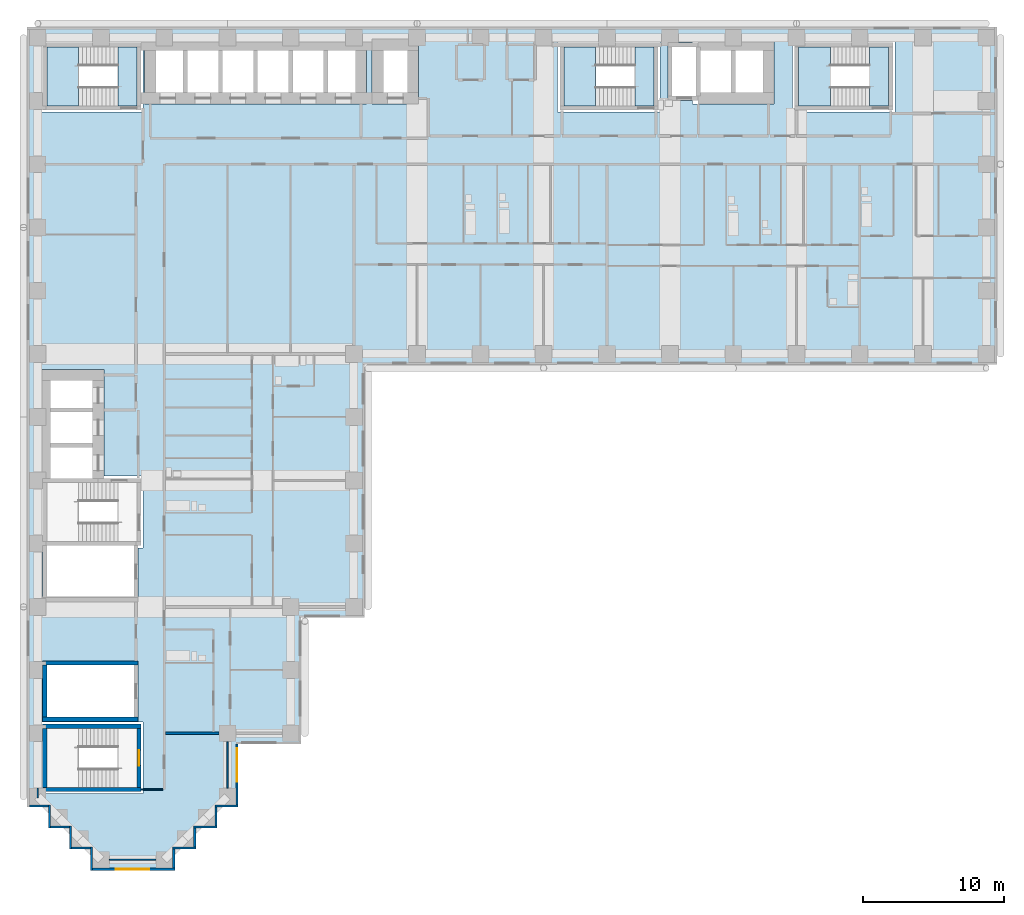
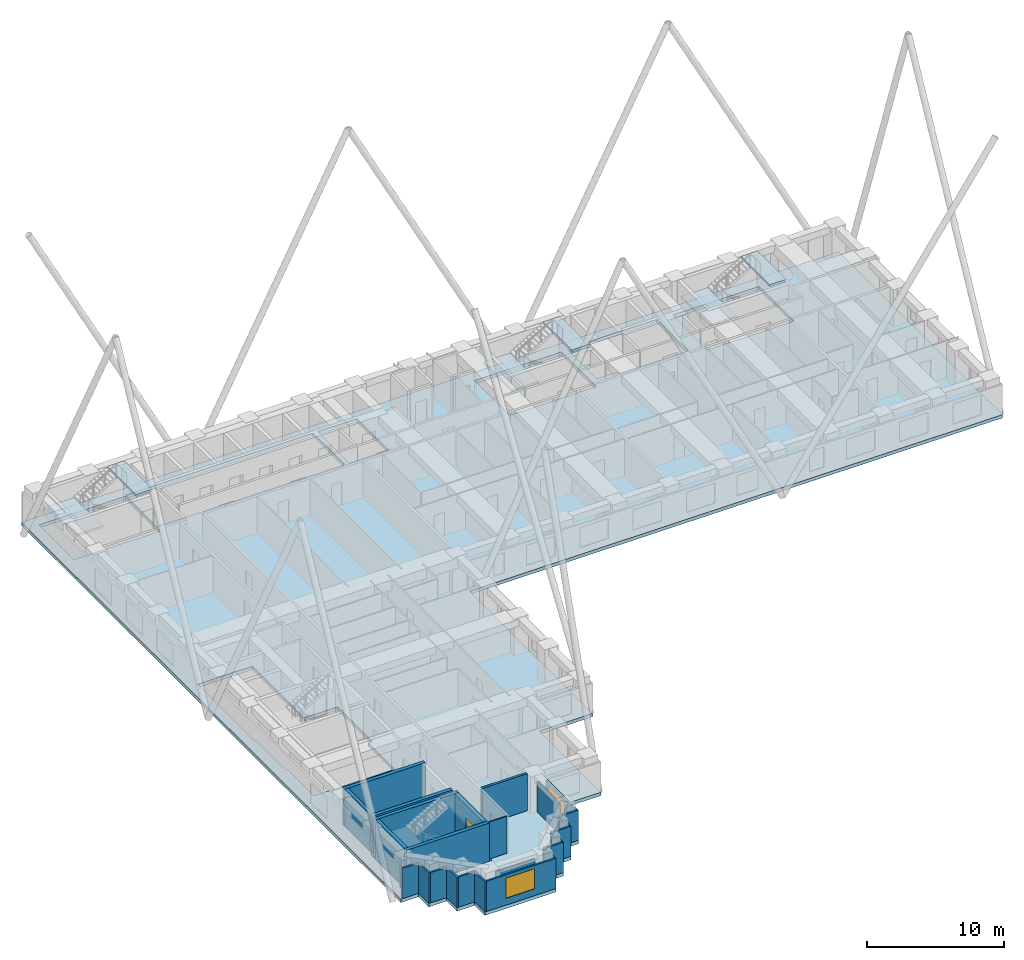
# One storey, part 2 of 12: 26 walls, 7 slabs, 2 windows, 1 door, 3 openings, 3 elements without a shape of their own.
"""IFC4 building model written with IfcOpenShell, lengths in metres."""

from ifc_helpers import new_model, si_unit, direction, frame, frame_2d, origin, place, context, subcontext, project, spatial, polyline, rectangle, outline, extrude, material, layer, layer_set, type_object, element, fill, aggregate, save


model = new_model("IFC4")

# Units and contexts
model_context = context("Model", 3, precision=1e-05, world=origin(), true_north=direction((0.0, 1.0)))
body_context = subcontext(model_context, "Body", "Model", "MODEL_VIEW")
ifc_project = project(units=[si_unit("LENGTHUNIT", "METRE"), si_unit("AREAUNIT", "SQUARE_METRE"), si_unit("VOLUMEUNIT", "CUBIC_METRE"), si_unit("PLANEANGLEUNIT", "RADIAN"), si_unit("MASSUNIT", "GRAM", prefix="KILO")], contexts=[model_context])

# Site, building, storey
site_placement = place(None, origin())
site = spatial("IfcSite", under=ifc_project, at=site_placement, CompositionType="ELEMENT")
building_placement = place(site_placement, origin())
building = spatial("IfcBuilding", under=site, at=building_placement, Name="Firuza Court", CompositionType="ELEMENT")
storey_placement = place(building_placement, frame((0.0, 0.0, 93.800048828125)))
storey = spatial("IfcBuildingStorey", under=building, at=storey_placement, Name="L23", CompositionType="ELEMENT", Elevation=93.800048828125)

# Slab
ifc_material_1 = material(Name="Concrete C40/50", Category="concrete")
ifc_layer_1 = layer(ifc_material_1, 0.300048828125)
ifc_layer_set_1 = layer_set([ifc_layer_1], Name="Concrete C40/50")
slab_type_1 = type_object("IfcSlabType", Name="Floor slab 300 C40/50", PredefinedType="FLOOR", material=ifc_layer_set_1)
slab_1_placement = place(storey_placement, frame((0.0, 0.0, -0.300048828125)))
element("IfcSlab", 1, at=slab_1_placement, inside=storey, type_object=slab_type_1, Name="Floor slab L23", PredefinedType="FLOOR", context=body_context, shape_type="SweptSolid", body=[
    extrude(outline(polyline([(3.75, -0.75), (3.75, 0.75), (2.25, 0.75), (2.25, 2.25), (0.75, 2.25), (0.75, 3.75), (-0.75, 3.75), (-0.75, 59.25), (68.25, 59.25), (68.25, 35.25), (23.25, 35.25), (23.25, 17.25), (18.75, 17.25), (18.75, 8.25), (14.25, 8.25), (14.25, 3.75), (12.75, 3.75), (12.75, 2.25), (11.25, 2.25), (11.25, 0.75), (9.75, 0.75), (9.75, -0.75), (3.75, -0.75)]), holes=[polyline([(7.5, 9.800048828125), (0.199951171875, 9.800048828125), (0.199951171875, 4.699951171875), (7.5, 4.699951171875), (7.5, 9.800048828125)]), polyline([(7.14990234375, 14.14990234375), (0.35009765625, 14.14990234375), (0.35009765625, 9.85009765625), (7.14990234375, 9.85009765625), (7.14990234375, 14.14990234375)]), polyline([(0.199951171875, 22.199951171875), (0.35009765625, 22.199951171875), (0.35009765625, 18.35009765625), (7.14990234375, 18.35009765625), (7.14990234375, 22.199951171875), (7.5, 22.199951171875), (7.5, 27.300048828125), (4.699951171875, 27.300048828125), (4.699951171875, 29.10009765625), (4.699951171875, 29.89990234375), (4.699951171875, 31.60009765625), (4.699951171875, 32.39990234375), (4.699951171875, 34.89990234375), (0.10009765625, 34.89990234375), (0.10009765625, 32.39990234375), (0.10009765625, 31.60009765625), (0.10009765625, 29.89990234375), (0.10009765625, 29.10009765625), (0.10009765625, 26.60009765625), (0.199951171875, 26.60009765625), (0.199951171875, 22.199951171875)]), polyline([(7.5, 58.300048828125), (0.199951171875, 58.300048828125), (0.199951171875, 53.199951171875), (7.5, 53.199951171875), (7.5, 58.300048828125)]), polyline([(10.10009765625, 58.39990234375), (7.60009765625, 58.39990234375), (7.60009765625, 53.800048828125), (10.10009765625, 53.800048828125), (10.89990234375, 53.800048828125), (12.60009765625, 53.800048828125), (13.39990234375, 53.800048828125), (15.10009765625, 53.800048828125), (15.89990234375, 53.800048828125), (17.60009765625, 53.800048828125), (18.39990234375, 53.800048828125), (20.10009765625, 53.800048828125), (20.89990234375, 53.800048828125), (23.39990234375, 53.800048828125), (23.39990234375, 58.39990234375), (20.89990234375, 58.39990234375), (20.10009765625, 58.39990234375), (18.39990234375, 58.39990234375), (17.60009765625, 58.39990234375), (15.89990234375, 58.39990234375), (15.10009765625, 58.39990234375), (13.39990234375, 58.39990234375), (12.60009765625, 58.39990234375), (10.89990234375, 58.39990234375), (10.10009765625, 58.39990234375)]), polyline([(44.300048828125, 58.300048828125), (37.0, 58.300048828125), (37.0, 53.199951171875), (44.300048828125, 53.199951171875), (44.300048828125, 58.300048828125)]), polyline([(61.0, 58.300048828125), (53.699951171875, 58.300048828125), (53.699951171875, 53.199951171875), (61.0, 53.199951171875), (61.0, 58.300048828125)]), polyline([(27.10009765625, 58.39990234375), (23.800048828125, 58.39990234375), (23.800048828125, 53.800048828125), (27.10009765625, 53.800048828125), (27.10009765625, 58.39990234375)]), polyline([(46.60009765625, 58.14990234375), (44.85009765625, 58.14990234375), (44.85009765625, 54.050048828125), (46.60009765625, 54.050048828125), (46.60009765625, 53.800048828125), (49.10009765625, 53.800048828125), (49.89990234375, 53.800048828125), (52.39990234375, 53.800048828125), (52.39990234375, 58.39990234375), (49.89990234375, 58.39990234375), (49.10009765625, 58.39990234375), (46.60009765625, 58.39990234375), (46.60009765625, 58.14990234375)])]), origin(), (0.0, 0.0, 1.0), 0.300048828125),
])

# Stair, slabs
ifc_material_2 = material(Name="Concrete C40/50 precast", Category="concrete")
stair_type = type_object("IfcStairType", Name="Stair 1350 x 3600 2 flights", PredefinedType="HALF_TURN_STAIR", material=ifc_material_2)
stair_1_placement = place(storey_placement, origin())
stair_1 = element("IfcStair", 2, at=stair_1_placement, inside=storey, type_object=stair_type, Name="Stair 1 L23", PredefinedType="HALF_TURN_STAIR")
ifc_material_3 = material(Name="Concrete C40/50 precast", Category="concrete")
ifc_layer_2 = layer(ifc_material_3, 0.199951171875)
ifc_layer_set_2 = layer_set([ifc_layer_2], Name="Concrete C40/50 precast")
slab_type_2 = type_object("IfcSlabType", Name="Stair landing 200", PredefinedType="LANDING", material=ifc_layer_set_2)
slab_2_placement = place(storey_placement, frame((0.0, 0.0, 1.599853515625)))
slab_2 = element("IfcSlab", 3, at=slab_2_placement, type_object=slab_type_2, Name="S1 landing 1", PredefinedType="LANDING", context=body_context, shape_type="SweptSolid", body=[
    extrude(outline(polyline([(39.699951171875, 53.64990234375), (39.699951171875, 57.85009765625), (37.449951171875, 57.85009765625), (37.449951171875, 53.64990234375), (39.699951171875, 53.64990234375)])), origin(), (0.0, 0.0, 1.0), 0.2001953125),
])
slab_3_placement = place(storey_placement, frame((0.0, 0.0, 3.39990234375)))
slab_3 = element("IfcSlab", 4, at=slab_3_placement, type_object=slab_type_2, Name="S1 landing 2", PredefinedType="LANDING", context=body_context, shape_type="SweptSolid", body=[
    extrude(outline(polyline([(43.85009765625, 53.64990234375), (43.85009765625, 57.85009765625), (42.5, 57.85009765625), (42.5, 53.64990234375), (43.85009765625, 53.64990234375)])), origin(), (0.0, 0.0, 1.0), 0.199951171875),
])
aggregate(stair_1, [slab_2, slab_3])

stair_2_placement = place(storey_placement, origin())
stair_2 = element("IfcStair", 5, at=stair_2_placement, inside=storey, type_object=stair_type, Name="Stair 3 L23", PredefinedType="HALF_TURN_STAIR")
slab_4_placement = place(storey_placement, frame((0.0, 0.0, 1.599853515625)))
slab_4 = element("IfcSlab", 6, at=slab_4_placement, type_object=slab_type_2, Name="S3 landing 1", PredefinedType="LANDING", context=body_context, shape_type="SweptSolid", body=[
    extrude(outline(polyline([(2.89990234375, 53.64990234375), (2.89990234375, 57.85009765625), (0.64990234375, 57.85009765625), (0.64990234375, 53.64990234375), (2.89990234375, 53.64990234375)])), origin(), (0.0, 0.0, 1.0), 0.2001953125),
])
slab_5_placement = place(storey_placement, frame((0.0, 0.0, 3.39990234375)))
slab_5 = element("IfcSlab", 7, at=slab_5_placement, type_object=slab_type_2, Name="S3 landing 2", PredefinedType="LANDING", context=body_context, shape_type="SweptSolid", body=[
    extrude(outline(polyline([(7.050048828125, 53.64990234375), (7.050048828125, 57.85009765625), (5.699951171875, 57.85009765625), (5.699951171875, 53.64990234375), (7.050048828125, 53.64990234375)])), origin(), (0.0, 0.0, 1.0), 0.199951171875),
])
aggregate(stair_2, [slab_4, slab_5])

stair_3_placement = place(storey_placement, origin())
stair_3 = element("IfcStair", 8, at=stair_3_placement, inside=storey, type_object=stair_type, Name="Stair 4 L23", PredefinedType="HALF_TURN_STAIR")
slab_6_placement = place(storey_placement, frame((0.0, 0.0, 1.599853515625)))
slab_6 = element("IfcSlab", 9, at=slab_6_placement, type_object=slab_type_2, Name="S4 landing 1", PredefinedType="LANDING", context=body_context, shape_type="SweptSolid", body=[
    extrude(outline(polyline([(56.39990234375, 53.64990234375), (56.39990234375, 57.85009765625), (54.14990234375, 57.85009765625), (54.14990234375, 53.64990234375), (56.39990234375, 53.64990234375)])), origin(), (0.0, 0.0, 1.0), 0.2001953125),
])
slab_7_placement = place(storey_placement, frame((0.0, 0.0, 3.39990234375)))
slab_7 = element("IfcSlab", 10, at=slab_7_placement, type_object=slab_type_2, Name="S4 landing 2", PredefinedType="LANDING", context=body_context, shape_type="SweptSolid", body=[
    extrude(outline(polyline([(60.550048828125, 53.64990234375), (60.550048828125, 57.85009765625), (59.199951171875, 57.85009765625), (59.199951171875, 53.64990234375), (60.550048828125, 53.64990234375)])), origin(), (0.0, 0.0, 1.0), 0.199951171875),
])
aggregate(stair_3, [slab_6, slab_7])

# Walls
ifc_material_4 = material(Name="Concrete C60/75", Category="concrete")
ifc_layer_3 = layer(ifc_material_4, 0.300048828125)
ifc_layer_set_3 = layer_set([ifc_layer_3], Name="Concrete C60/75")
wall_type_1 = type_object("IfcWallType", Name="Core wall 300 C60/75", PredefinedType="SHEAR", material=ifc_layer_set_3)
for number, where, z_axis, x_axis, name in (
    (11, (0.35009765625, 5.0, -0.300048828125), (0.0, 0.0, 1.0), (1.0, 0.0, 0.0), "Core wall stair L23"),
    (12, (0.35009765625, 9.5, -0.300048828125), (0.0, 0.0, 1.0), (1.0, 0.0, 0.0), "Core wall stair L23"),
):
    element("IfcWall", number, at=place(storey_placement, frame(where, z_axis=z_axis, x_axis=x_axis)), inside=storey, type_object=wall_type_1, Name=name, PredefinedType="SHEAR", context=body_context, shape_type="SweptSolid", body=[
        extrude(rectangle(XDim=7.0, YDim=0.300048828125, at=frame_2d((3.5, 0.0))), origin(), (0.0, 0.0, 1.0), 3.60009765625),
    ])
for number, where, z_axis, x_axis, name in (
    (13, (0.35009765625, 10.0, -0.300048828125), (0.0, 0.0, 1.0), (1.0, 0.0, 0.0), "Core wall riser L23"),
    (14, (0.35009765625, 14.0, -0.300048828125), (0.0, 0.0, 1.0), (1.0, 0.0, 0.0), "Core wall riser L23"),
):
    element("IfcWall", number, at=place(storey_placement, frame(where, z_axis=z_axis, x_axis=x_axis)), inside=storey, type_object=wall_type_1, Name=name, PredefinedType="SHEAR", context=body_context, shape_type="SweptSolid", body=[
        extrude(rectangle(XDim=6.7998046875, YDim=0.300048828125, at=frame_2d((3.39990234375, 0.0))), origin(), (0.0, 0.0, 1.0), 3.60009765625),
    ])
wall_1_placement = place(storey_placement, frame((0.5, 5.14990234375, -0.300048828125), z_axis=(0.0, 0.0, 1.0), x_axis=(0.0, 1.0, 0.0)))
element("IfcWall", 15, at=wall_1_placement, inside=storey, type_object=wall_type_1, Name="Core wall stair L23", PredefinedType="SHEAR", context=body_context, shape_type="SweptSolid", body=[
    extrude(rectangle(XDim=4.2001953125, YDim=0.300048828125, at=frame_2d((2.10009765625, 0.0))), origin(), (0.0, 0.0, 1.0), 3.60009765625),
])
wall_2_placement = place(storey_placement, frame((0.5, 10.14990234375, -0.300048828125), z_axis=(0.0, 0.0, 1.0), x_axis=(0.0, 1.0, 0.0)))
element("IfcWall", 16, at=wall_2_placement, inside=storey, type_object=wall_type_1, Name="Core wall riser L23", PredefinedType="SHEAR", context=body_context, shape_type="SweptSolid", body=[
    extrude(rectangle(XDim=3.7001953125, YDim=0.300048828125, at=frame_2d((1.85009765625, 0.0))), origin(), (0.0, 0.0, 1.0), 3.60009765625),
])

# Wall, opening, door
wall_3_placement = place(storey_placement, frame((7.199951171875, 5.14990234375, -0.300048828125), z_axis=(0.0, 0.0, 1.0), x_axis=(0.0, 1.0, 0.0)))
wall_3 = element("IfcWall", 17, at=wall_3_placement, inside=storey, type_object=wall_type_1, Name="Core wall stair L23", PredefinedType="SHEAR", context=body_context, shape_type="SweptSolid", body=[
    extrude(rectangle(XDim=4.2001953125, YDim=0.300048828125, at=frame_2d((2.10009765625, 0.0))), origin(), (0.0, 0.0, 1.0), 3.60009765625),
])
opening_1_placement = place(wall_3_placement, frame((1.550048828125, 0.0, 0.300048828125)))
opening_1 = element("IfcOpeningElement", 18, at=opening_1_placement, cuts=wall_3, Name="Opening D23018", PredefinedType="OPENING", context=body_context, shape_type="SweptSolid", body=[
    extrude(rectangle(XDim=1.10009765625, YDim=2.10009765625, at=frame_2d((0.550048828125, 1.050048828125))), frame((0.0, 0.162109375, 0.0), z_axis=(0.0, -1.0, 0.0), x_axis=(1.0, 0.0, 0.0)), (0.0, 0.0, 1.0), 0.323974609375),
])
ifc_material_5 = material(Name="Timber door leaf in hardwood frame", Category="wood")
door_type = type_object("IfcDoorType", Name="Stair door 1100", OperationType="SINGLE_SWING_LEFT", PredefinedType="DOOR", material=ifc_material_5)
door_placement = place(opening_1_placement, origin())
door = element("IfcDoor", 19, at=door_placement, inside=storey, type_object=door_type, Name="Stair door S5", OperationType="SINGLE_SWING_LEFT", OverallHeight=2.10009765625, OverallWidth=1.10009765625, PredefinedType="DOOR", context=body_context, shape_type="SweptSolid", body=[
    extrude(rectangle(XDim=1.10009765625, YDim=2.10009765625, at=frame_2d((0.550048828125, 1.050048828125))), frame((0.0, 0.02490234375, 0.0), z_axis=(0.0, -1.0, 0.0), x_axis=(1.0, 0.0, 0.0)), (0.0, 0.0, 1.0), 0.050048828125),
])
fill(opening_1, door)

# Walls
ifc_material_6 = material(Name="Timber stud partition, plasterboard both sides", Category="wood")
ifc_layer_4 = layer(ifc_material_6, 0.10009765625)
ifc_layer_set_4 = layer_set([ifc_layer_4], Name="Timber stud partition, plasterboard both sides")
wall_type_2 = type_object("IfcWallType", Name="Partition wall 100", PredefinedType="PARTITIONING", material=ifc_layer_set_4)
wall_4_placement = place(storey_placement, frame((5.10009765625, 0.0, 0.0), z_axis=(0.0, 0.0, 1.0), x_axis=(1.0, 0.0, 0.0)))
element("IfcWall", 20, at=wall_4_placement, inside=storey, type_object=wall_type_2, Name="Partition wall 100 L23", PredefinedType="PARTITIONING", context=body_context, shape_type="SweptSolid", body=[
    extrude(rectangle(XDim=3.2998046875, YDim=0.10009765625, at=frame_2d((1.64990234375, 0.0))), origin(), (0.0, 0.0, 1.0), 2.699951171875),
])
wall_5_placement = place(storey_placement, frame((0.0, 4.39990234375, 0.0), z_axis=(0.0, 0.0, 1.0), x_axis=(0.0, 1.0, 0.0)))
element("IfcWall", 21, at=wall_5_placement, inside=storey, type_object=wall_type_2, Name="Partition wall 100 L23", PredefinedType="PARTITIONING", context=body_context, shape_type="SweptSolid", body=[
    extrude(rectangle(XDim=0.7001953125, YDim=0.10009765625, at=frame_2d((0.35009765625, 0.0))), origin(), (0.0, 0.0, 1.0), 2.699951171875),
])
wall_6_placement = place(storey_placement, frame((7.34912109375, 5.0, 0.0), z_axis=(0.0, 0.0, 1.0), x_axis=(1.0, 0.0, 0.0)))
element("IfcWall", 22, at=wall_6_placement, inside=storey, type_object=wall_type_2, Name="Partition wall 100 L23", PredefinedType="PARTITIONING", context=body_context, shape_type="SweptSolid", body=[
    extrude(rectangle(XDim=1.55078125, YDim=0.10009765625, at=frame_2d((0.775390625, 0.0))), origin(), (0.0, 0.0, 1.0), 3.300048828125),
])
wall_7_placement = place(storey_placement, frame((13.5, 5.10009765625, 0.0), z_axis=(0.0, 0.0, 1.0), x_axis=(0.0, 1.0, 0.0)))
element("IfcWall", 23, at=wall_7_placement, inside=storey, type_object=wall_type_2, Name="Partition wall 100 L23", PredefinedType="PARTITIONING", context=body_context, shape_type="SweptSolid", body=[
    extrude(rectangle(XDim=3.2998046875, YDim=0.10009765625, at=frame_2d((1.64990234375, 0.0))), origin(), (0.0, 0.0, 1.0), 2.699951171875),
])
ifc_material_7 = material(Name="Blockwork, plastered both sides", Category="masonry")
ifc_layer_5 = layer(ifc_material_7, 0.199951171875)
ifc_layer_set_5 = layer_set([ifc_layer_5], Name="Blockwork, plastered both sides")
wall_type_3 = type_object("IfcWallType", Name="Party wall 200", PredefinedType="PARTITIONING", material=ifc_layer_set_5)
wall_8_placement = place(storey_placement, frame((9.10009765625, 9.0, 0.0), z_axis=(0.0, 0.0, 1.0), x_axis=(1.0, 0.0, 0.0)))
element("IfcWall", 24, at=wall_8_placement, inside=storey, type_object=wall_type_3, Name="Party wall 200 L23", PredefinedType="PARTITIONING", context=body_context, shape_type="SweptSolid", body=[
    extrude(rectangle(XDim=3.7998046875, YDim=0.199951171875, at=frame_2d((1.89990234375, 0.0))), origin(), (0.0, 0.0, 1.0), 3.300048828125),
])
ifc_material_8 = material(Name="Ceramic tile", Category="ceramic")
ifc_layer_6 = layer(ifc_material_8, 0.02001953125)
ifc_material_9 = material(Name="Mineral wool insulation", Category="insulation")
ifc_layer_7 = layer(ifc_material_9, 0.050048828125)
ifc_layer_8 = layer(ifc_material_3, 0.080078125)
ifc_layer_set_6 = layer_set([ifc_layer_6, ifc_layer_7, ifc_layer_8], Name="Concrete C40/50 precast")
wall_type_4 = type_object("IfcWallType", Name="Precast cladding wall with turquoise TILE PANEL face 150", PredefinedType="STANDARD", material=ifc_layer_set_6)
wall_9_placement = place(storey_placement, frame((9.675048828125, -0.60009765625, 0.0), z_axis=(0.0, 0.0, 1.0), x_axis=(0.0, 1.0, 0.0)))
element("IfcWall", 25, at=wall_9_placement, inside=storey, type_object=wall_type_4, Name="Facade wall L23 E", PredefinedType="STANDARD", context=body_context, shape_type="SweptSolid", body=[
    extrude(rectangle(XDim=1.35009765625, YDim=0.14990234375, at=frame_2d((0.675048828125, 0.0))), origin(), (0.0, 0.0, 1.0), 2.699951171875),
])
wall_10_placement = place(storey_placement, frame((9.60009765625, 0.824951171875, 0.0), z_axis=(0.0, 0.0, 1.0), x_axis=(1.0, 0.0, 0.0)))
element("IfcWall", 26, at=wall_10_placement, inside=storey, type_object=wall_type_4, Name="Facade wall L23 S", PredefinedType="STANDARD", context=body_context, shape_type="SweptSolid", body=[
    extrude(rectangle(XDim=1.64990234375, YDim=0.14990234375, at=frame_2d((0.824951171875, 0.0))), origin(), (0.0, 0.0, 1.0), 2.699951171875),
])
wall_11_placement = place(storey_placement, frame((11.175048828125, 0.89990234375, 0.0), z_axis=(0.0, 0.0, 1.0), x_axis=(0.0, 1.0, 0.0)))
element("IfcWall", 27, at=wall_11_placement, inside=storey, type_object=wall_type_4, Name="Facade wall L23 E", PredefinedType="STANDARD", context=body_context, shape_type="SweptSolid", body=[
    extrude(rectangle(XDim=1.35009765625, YDim=0.14990234375, at=frame_2d((0.675048828125, 0.0))), origin(), (0.0, 0.0, 1.0), 2.699951171875),
])
wall_12_placement = place(storey_placement, frame((11.10009765625, 2.324951171875, 0.0), z_axis=(0.0, 0.0, 1.0), x_axis=(1.0, 0.0, 0.0)))
element("IfcWall", 28, at=wall_12_placement, inside=storey, type_object=wall_type_4, Name="Facade wall L23 S", PredefinedType="STANDARD", context=body_context, shape_type="SweptSolid", body=[
    extrude(rectangle(XDim=1.64990234375, YDim=0.14990234375, at=frame_2d((0.824951171875, 0.0))), origin(), (0.0, 0.0, 1.0), 2.699951171875),
])
wall_13_placement = place(storey_placement, frame((12.675048828125, 2.39990234375, 0.0), z_axis=(0.0, 0.0, 1.0), x_axis=(0.0, 1.0, 0.0)))
element("IfcWall", 29, at=wall_13_placement, inside=storey, type_object=wall_type_4, Name="Facade wall L23 E", PredefinedType="STANDARD", context=body_context, shape_type="SweptSolid", body=[
    extrude(rectangle(XDim=1.35009765625, YDim=0.14990234375, at=frame_2d((0.675048828125, 0.0))), origin(), (0.0, 0.0, 1.0), 2.699951171875),
])
wall_14_placement = place(storey_placement, frame((12.60009765625, 3.824951171875, 0.0), z_axis=(0.0, 0.0, 1.0), x_axis=(1.0, 0.0, 0.0)))
element("IfcWall", 30, at=wall_14_placement, inside=storey, type_object=wall_type_4, Name="Facade wall L23 S", PredefinedType="STANDARD", context=body_context, shape_type="SweptSolid", body=[
    extrude(rectangle(XDim=1.64990234375, YDim=0.14990234375, at=frame_2d((0.824951171875, 0.0))), origin(), (0.0, 0.0, 1.0), 2.699951171875),
])

# Wall, opening, window
wall_15_placement = place(storey_placement, frame((14.175048828125, 3.89990234375, 0.0), z_axis=(0.0, 0.0, 1.0), x_axis=(0.0, 1.0, 0.0)))
wall_15 = element("IfcWall", 31, at=wall_15_placement, inside=storey, type_object=wall_type_4, Name="Facade wall L23 E", PredefinedType="STANDARD", context=body_context, shape_type="SweptSolid", body=[
    extrude(rectangle(XDim=4.35009765625, YDim=0.14990234375, at=frame_2d((2.175048828125, 0.0))), origin(), (0.0, 0.0, 1.0), 2.699951171875),
])
opening_2_placement = place(wall_15_placement, frame((1.64990234375, 0.0, 0.60009765625)))
opening_2 = element("IfcOpeningElement", 32, at=opening_2_placement, cuts=wall_15, Name="Opening W1", PredefinedType="OPENING", context=body_context, shape_type="SweptSolid", body=[
    extrude(rectangle(XDim=2.39990234375, YDim=1.800048828125, at=frame_2d((1.199951171875, 0.89990234375))), frame((0.0, 0.0869140625, 0.0), z_axis=(0.0, -1.0, 0.0), x_axis=(1.0, 0.0, 0.0)), (0.0, 0.0, 1.0), 0.173828125),
])
ifc_material_10 = material(Name="Aluminium frame, triple clear glazing", Category="aluminium")
window_type = type_object("IfcWindowType", Name="Window W1 2400 x 1800", PartitioningType="SINGLE_PANEL", PredefinedType="WINDOW", material=ifc_material_10)
window_1_placement = place(opening_2_placement, origin())
window_1 = element("IfcWindow", 33, at=window_1_placement, inside=storey, type_object=window_type, Name="Window L23", OverallHeight=1.800048828125, OverallWidth=2.39990234375, PartitioningType="SINGLE_PANEL", PredefinedType="WINDOW", context=body_context, shape_type="SweptSolid", body=[
    extrude(rectangle(XDim=2.39990234375, YDim=1.800048828125, at=frame_2d((1.199951171875, 0.89990234375))), frame((0.0, 0.030029296875, 0.0), z_axis=(0.0, -1.0, 0.0), x_axis=(1.0, 0.0, 0.0)), (0.0, 0.0, 1.0), 0.06005859375),
])
fill(opening_2, window_1)

# Walls
wall_16_placement = place(storey_placement, frame((-0.60009765625, 3.824951171875, 0.0), z_axis=(0.0, 0.0, 1.0), x_axis=(1.0, 0.0, 0.0)))
element("IfcWall", 34, at=wall_16_placement, inside=storey, type_object=wall_type_4, Name="Facade wall L23 S", PredefinedType="STANDARD", context=body_context, shape_type="SweptSolid", body=[
    extrude(rectangle(XDim=1.35009765625, YDim=0.14990234375, at=frame_2d((0.675048828125, 0.0))), origin(), (0.0, 0.0, 1.0), 2.699951171875),
])
wall_17_placement = place(storey_placement, frame((0.824951171875, 3.89990234375, 0.0), z_axis=(0.0, 0.0, 1.0), x_axis=(0.0, -1.0, 0.0)))
element("IfcWall", 35, at=wall_17_placement, inside=storey, type_object=wall_type_4, Name="Facade wall L23 W", PredefinedType="STANDARD", context=body_context, shape_type="SweptSolid", body=[
    extrude(rectangle(XDim=1.64990234375, YDim=0.14990234375, at=frame_2d((0.824951171875, 0.0))), origin(), (0.0, 0.0, 1.0), 2.699951171875),
])
wall_18_placement = place(storey_placement, frame((0.89990234375, 2.324951171875, 0.0), z_axis=(0.0, 0.0, 1.0), x_axis=(1.0, 0.0, 0.0)))
element("IfcWall", 36, at=wall_18_placement, inside=storey, type_object=wall_type_4, Name="Facade wall L23 S", PredefinedType="STANDARD", context=body_context, shape_type="SweptSolid", body=[
    extrude(rectangle(XDim=1.35009765625, YDim=0.14990234375, at=frame_2d((0.675048828125, 0.0))), origin(), (0.0, 0.0, 1.0), 2.699951171875),
])
wall_19_placement = place(storey_placement, frame((2.324951171875, 2.39990234375, 0.0), z_axis=(0.0, 0.0, 1.0), x_axis=(0.0, -1.0, 0.0)))
element("IfcWall", 37, at=wall_19_placement, inside=storey, type_object=wall_type_4, Name="Facade wall L23 W", PredefinedType="STANDARD", context=body_context, shape_type="SweptSolid", body=[
    extrude(rectangle(XDim=1.64990234375, YDim=0.14990234375, at=frame_2d((0.824951171875, 0.0))), origin(), (0.0, 0.0, 1.0), 2.699951171875),
])
wall_20_placement = place(storey_placement, frame((2.39990234375, 0.824951171875, 0.0), z_axis=(0.0, 0.0, 1.0), x_axis=(1.0, 0.0, 0.0)))
element("IfcWall", 38, at=wall_20_placement, inside=storey, type_object=wall_type_4, Name="Facade wall L23 S", PredefinedType="STANDARD", context=body_context, shape_type="SweptSolid", body=[
    extrude(rectangle(XDim=1.35009765625, YDim=0.14990234375, at=frame_2d((0.675048828125, 0.0))), origin(), (0.0, 0.0, 1.0), 2.699951171875),
])
wall_21_placement = place(storey_placement, frame((3.824951171875, 0.89990234375, 0.0), z_axis=(0.0, 0.0, 1.0), x_axis=(0.0, -1.0, 0.0)))
element("IfcWall", 39, at=wall_21_placement, inside=storey, type_object=wall_type_4, Name="Facade wall L23 W", PredefinedType="STANDARD", context=body_context, shape_type="SweptSolid", body=[
    extrude(rectangle(XDim=1.64990234375, YDim=0.14990234375, at=frame_2d((0.824951171875, 0.0))), origin(), (0.0, 0.0, 1.0), 2.699951171875),
])

# Wall, opening, window
wall_22_placement = place(storey_placement, frame((3.89990234375, -0.675048828125, 0.0), z_axis=(0.0, 0.0, 1.0), x_axis=(1.0, 0.0, 0.0)))
wall_22 = element("IfcWall", 40, at=wall_22_placement, inside=storey, type_object=wall_type_4, Name="Facade wall L23 S", PredefinedType="STANDARD", context=body_context, shape_type="SweptSolid", body=[
    extrude(rectangle(XDim=5.85009765625, YDim=0.14990234375, at=frame_2d((2.925048828125, 0.0))), origin(), (0.0, 0.0, 1.0), 2.699951171875),
])
opening_3_placement = place(wall_22_placement, frame((1.64990234375, 0.0, 0.60009765625)))
opening_3 = element("IfcOpeningElement", 41, at=opening_3_placement, cuts=wall_22, Name="Opening W1", PredefinedType="OPENING", context=body_context, shape_type="SweptSolid", body=[
    extrude(rectangle(XDim=2.39990234375, YDim=1.800048828125, at=frame_2d((1.199951171875, 0.89990234375))), frame((0.0, 0.0869140625, 0.0), z_axis=(0.0, -1.0, 0.0), x_axis=(1.0, 0.0, 0.0)), (0.0, 0.0, 1.0), 0.173828125),
])
window_2_placement = place(opening_3_placement, origin())
window_2 = element("IfcWindow", 42, at=window_2_placement, inside=storey, type_object=window_type, Name="Window L23", OverallHeight=1.800048828125, OverallWidth=2.39990234375, PartitioningType="SINGLE_PANEL", PredefinedType="WINDOW", context=body_context, shape_type="SweptSolid", body=[
    extrude(rectangle(XDim=2.39990234375, YDim=1.800048828125, at=frame_2d((1.199951171875, 0.89990234375))), frame((0.0, 0.030029296875, 0.0), z_axis=(0.0, -1.0, 0.0), x_axis=(1.0, 0.0, 0.0)), (0.0, 0.0, 1.0), 0.06005859375),
])
fill(opening_3, window_2)

save(model, "model.ifc")
